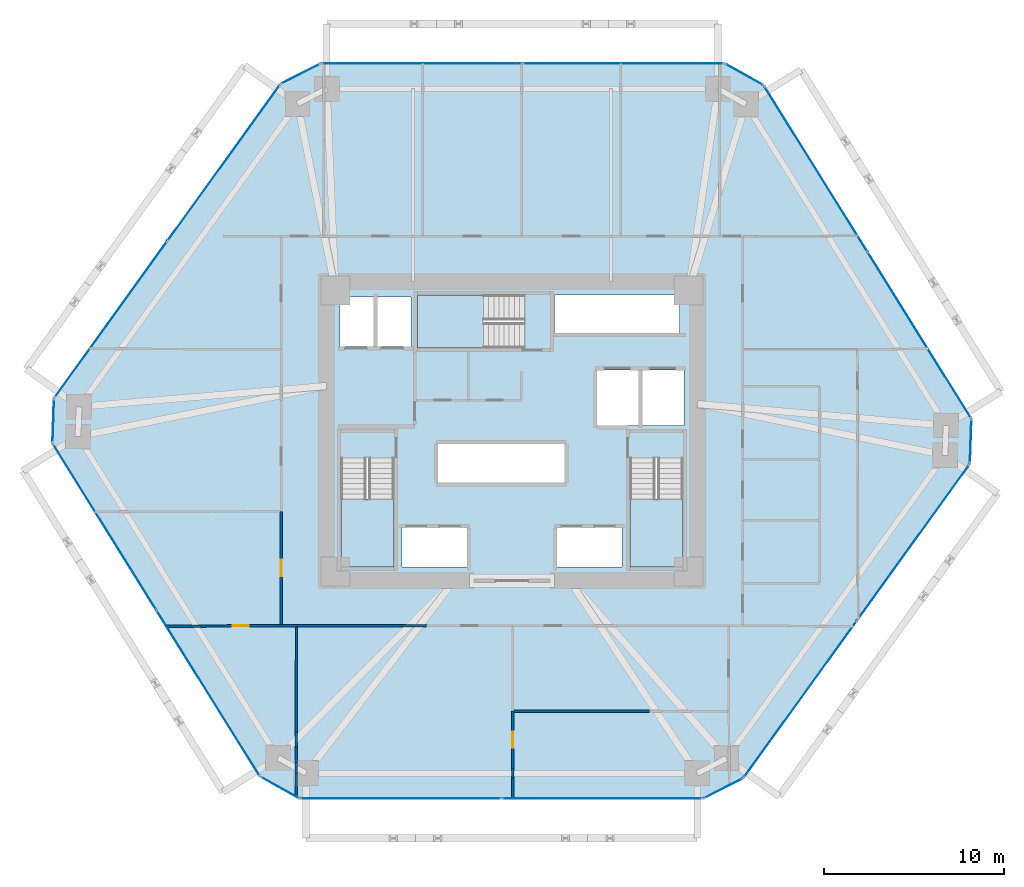
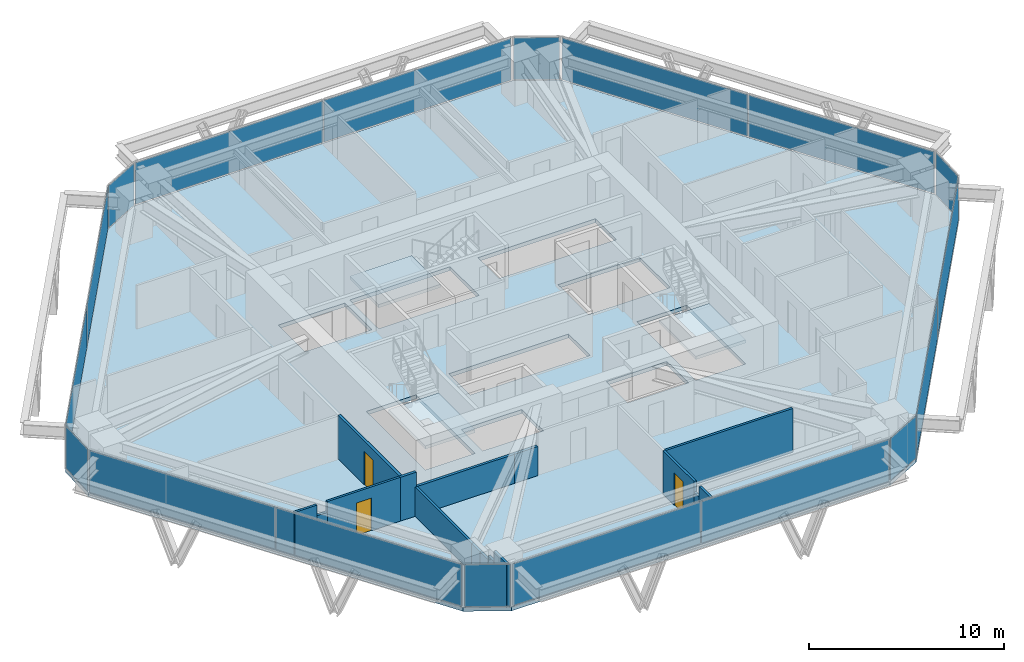
# One storey, part 10 of 15: 18 plates, 16 walls, 4 slabs, 3 doors, 3 openings, 15 elements without a shape of their own.
"""IFC4 building model written with IfcOpenShell, lengths in metres."""

import ifcopenshell
import ifcopenshell.guid

model = None  # the IFC model being written
_history = None  # IfcOwnerHistory: only IFC2X3 demands one
_inside = {}  # id of a spatial element -> (the spatial element, [elements in it])
_under = {}  # id of a project, library or spatial element -> (it, [spatial elements below it])
_declared = {}  # id of a project -> (the project, [libraries it declares])
_typed = {}  # id of a type object -> (the type object, [elements of that type])
_made_of = {}  # id of a material, layer set ... -> (it, [elements and type objects made of it])


def new_model(schema):
    """Start an empty IFC model of exactly this schema.

    Asked for "IFC4X3", IfcOpenShell would pick the latest addendum, in which some entities
    have other attributes; the version numbers below select the first issue.
    IFC2X3 requires an IfcOwnerHistory on every rooted entity: one is made here for all.
    """
    global model, _history
    if schema == "IFC4X3":
        model = ifcopenshell.file(schema_version=(4, 3, 0, 0))
    else:
        model = ifcopenshell.file(schema=schema)
    _inside.clear()
    _under.clear()
    _declared.clear()
    _typed.clear()
    _made_of.clear()
    _history = None
    if model.schema == "IFC2X3":
        org = make("IfcOrganization", Name="unknown")
        user = make(
            "IfcPersonAndOrganization",
            ThePerson=make("IfcPerson", FamilyName="unknown"),
            TheOrganization=org,
        )
        app = make(
            "IfcApplication",
            ApplicationDeveloper=org,
            Version="unknown",
            ApplicationFullName="unknown",
            ApplicationIdentifier="unknown",
        )
        _history = make(
            "IfcOwnerHistory",
            OwningUser=user,
            OwningApplication=app,
            ChangeAction="ADDED",
            CreationDate=0,
        )
    return model


def make(cls, **values):
    """One entity of the class cls with the attributes given. An attribute that is None is left unset."""
    return model.create_entity(
        cls, **{name: value for name, value in values.items() if value is not None}
    )


def rooted(cls, **values):
    """An entity with a GlobalId (a new one), such as an element, a storey or a relation."""
    return make(cls, GlobalId=ifcopenshell.guid.new(), OwnerHistory=_history, **values)


def si_unit(unit_type, name, prefix=None):
    """IfcSIUnit, for example si_unit("LENGTHUNIT", "METRE", prefix="MILLI")."""
    return make("IfcSIUnit", UnitType=unit_type, Prefix=prefix, Name=name)


def assignment(units):
    """IfcUnitAssignment: the units of a project."""
    return None if units is None else make("IfcUnitAssignment", Units=units)


def point(xyz):
    """IfcCartesianPoint."""
    return None if xyz is None else make("IfcCartesianPoint", Coordinates=xyz)


def direction(xyz):
    """IfcDirection."""
    return None if xyz is None else make("IfcDirection", DirectionRatios=xyz)


def frame(location, z_axis=None, x_axis=None):
    """IfcAxis2Placement3D, a coordinate frame: its origin and axes. An axis left out is left unset."""
    return make(
        "IfcAxis2Placement3D",
        Location=point(location),
        Axis=direction(z_axis),
        RefDirection=direction(x_axis),
    )


def frame_2d(location, x_axis=None):
    """IfcAxis2Placement2D, a coordinate frame in the plane: its origin and x axis."""
    return make(
        "IfcAxis2Placement2D", Location=point(location), RefDirection=direction(x_axis)
    )


def origin():
    """The frame at (0, 0, 0) with its axes left unset."""
    return frame((0.0, 0.0, 0.0))


def origin_2d():
    """The frame at (0, 0) in the plane with its x axis left unset."""
    return frame_2d((0.0, 0.0))


def place(relative_to, where):
    """IfcLocalPlacement: puts the frame where relative to a parent placement (None: the world)."""
    return make(
        "IfcLocalPlacement", PlacementRelTo=relative_to, RelativePlacement=where
    )


def context(
    kind, dimensions, precision=None, world=None, true_north=None, identifier=None
):
    """IfcGeometricRepresentationContext, for example the 3D "Model" context."""
    return make(
        "IfcGeometricRepresentationContext",
        ContextIdentifier=identifier,
        ContextType=kind,
        CoordinateSpaceDimension=dimensions,
        Precision=precision,
        WorldCoordinateSystem=world,
        TrueNorth=true_north,
    )


def subcontext(parent, identifier, kind, view, scale=None):
    """IfcGeometricRepresentationSubContext, for example "Body" below "Model"."""
    return make(
        "IfcGeometricRepresentationSubContext",
        ContextIdentifier=identifier,
        ContextType=kind,
        ParentContext=parent,
        TargetScale=scale,
        TargetView=view,
    )


def project(units=None, contexts=None):
    """IfcProject with its units and contexts."""
    return rooted(
        "IfcProject",
        Name="project",
        RepresentationContexts=contexts,
        UnitsInContext=assignment(units),
    )


def spatial(cls, under=None, at=None, **own):
    """A site, building, storey or space (cls), placed at a placement, below another one or the project."""
    s = rooted(cls, ObjectPlacement=at, **own)
    if under is not None:
        _under.setdefault(under.id(), (under, []))[1].append(s)
    return s


def polyline(points):
    """IfcPolyline through the points."""
    return make("IfcPolyline", Points=[point(p) for p in points])


def profile(cls, at=None, kind="AREA", **sizes):
    """A parametric profile (cls). Its sizes go by their IFC names, for example OverallWidth=200.0."""
    return make(cls, ProfileType=kind, Position=at, **sizes)


def rectangle(**sizes):
    """IfcRectangleProfileDef."""
    return profile("IfcRectangleProfileDef", **sizes)


def outline(outer, holes=None, kind="AREA"):
    """IfcArbitraryClosedProfileDef: a profile drawn as a closed curve; with holes, ...WithVoids."""
    if holes is None:
        return make("IfcArbitraryClosedProfileDef", ProfileType=kind, OuterCurve=outer)
    return make(
        "IfcArbitraryProfileDefWithVoids",
        ProfileType=kind,
        OuterCurve=outer,
        InnerCurves=holes,
    )


def extrude(swept, where, along, depth):
    """IfcExtrudedAreaSolid: the profile swept, set in the frame where, extruded along a direction by depth."""
    return make(
        "IfcExtrudedAreaSolid",
        SweptArea=swept,
        Position=where,
        ExtrudedDirection=direction(along),
        Depth=depth,
    )


def shape(context_of_items, identifier, shape_type, items):
    """IfcShapeRepresentation: the items that make up one representation, for example the "Body"."""
    return make(
        "IfcShapeRepresentation",
        ContextOfItems=context_of_items,
        RepresentationIdentifier=identifier,
        RepresentationType=shape_type,
        Items=items,
    )


def source(mapping_origin, context_of_items, identifier, shape_type, items):
    """IfcRepresentationMap: a shape defined once, which mapped items show again and again."""
    return make(
        "IfcRepresentationMap",
        MappingOrigin=mapping_origin,
        MappedRepresentation=shape(context_of_items, identifier, shape_type, items),
    )


def transform(
    local_origin,
    x_axis=None,
    y_axis=None,
    z_axis=None,
    scale=None,
    scale2=None,
    scale3=None,
    uniform=True,
):
    """IfcCartesianTransformationOperator3D, or its non-uniform kind. x_axis, y_axis, z_axis: its Axis1, 2, 3."""
    if uniform:
        return make(
            "IfcCartesianTransformationOperator3D",
            Axis1=direction(x_axis),
            Axis2=direction(y_axis),
            LocalOrigin=point(local_origin),
            Scale=scale,
            Axis3=direction(z_axis),
        )
    return make(
        "IfcCartesianTransformationOperator3DnonUniform",
        Axis1=direction(x_axis),
        Axis2=direction(y_axis),
        LocalOrigin=point(local_origin),
        Scale=scale,
        Axis3=direction(z_axis),
        Scale2=scale2,
        Scale3=scale3,
    )


def mapped(mapping_source, mapping_target):
    """IfcMappedItem: shows the shape of a source again, moved by a transform."""
    return make(
        "IfcMappedItem", MappingSource=mapping_source, MappingTarget=mapping_target
    )


def material(Name=None, Category=None):
    """IfcMaterial."""
    return make("IfcMaterial", Name=Name, Category=Category)


def layer(
    of_material, thickness, ventilated=None, Name=None, Category=None, Priority=None
):
    """IfcMaterialLayer: one layer of a wall or slab, of a material (None: an air gap)."""
    return make(
        "IfcMaterialLayer",
        Material=of_material,
        LayerThickness=thickness,
        IsVentilated=ventilated,
        Name=Name,
        Category=Category,
        Priority=Priority,
    )


def layer_set(layers, Name=None):
    """IfcMaterialLayerSet."""
    return make("IfcMaterialLayerSet", MaterialLayers=layers, LayerSetName=Name)


def made_of(thing, what):
    """Note that an element or type object is made of a material, layer set ...; save() writes the relation."""
    if what is not None:
        _made_of.setdefault(what.id(), (what, []))[1].append(thing)
    return thing


def type_object(cls, material=None, **own):
    """A type object (cls), such as IfcWallType, which elements share."""
    return made_of(rooted(cls, **own), material)


def type_shapes(of_type, sources):
    """Give a type object the sources (RepresentationMaps) that its elements show as mapped items."""
    of_type.RepresentationMaps = sources


def element(
    cls,
    number,
    at=None,
    inside=None,
    cuts=None,
    type_object=None,
    material=None,
    context=None,
    identifier="Body",
    shape_type=None,
    held_by="IfcProductDefinitionShape",
    body=None,
    shapes=None,
    **own,
):
    """One element of the class cls, such as IfcWall. Its Tag is "e" and its number.

    at: its placement. inside: the storey or other place that contains it. cuts: it is an
    opening in that element (IfcRelVoidsElement). A single representation is given by context,
    identifier, shape_type and body (its items); several are given by shapes. held_by: the class
    of the entity that holds the representations. save() writes the other relations.
    """
    e = rooted(cls, Tag="e%d" % number, ObjectPlacement=at, **own)
    if body is not None:
        shapes = [shape(context, identifier, shape_type, body)]
    if shapes is not None:
        e.Representation = make(held_by, Representations=shapes)
    if inside is not None:
        _inside.setdefault(inside.id(), (inside, []))[1].append(e)
    if cuts is not None:
        rooted(
            "IfcRelVoidsElement", RelatingBuildingElement=cuts, RelatedOpeningElement=e
        )
    if type_object is not None:
        _typed.setdefault(type_object.id(), (type_object, []))[1].append(e)
    return made_of(e, material)


def fill(opening, filler):
    """IfcRelFillsElement: the door or window that sits in an opening."""
    return rooted(
        "IfcRelFillsElement",
        RelatingOpeningElement=opening,
        RelatedBuildingElement=filler,
    )


def aggregate(whole, parts):
    """IfcRelAggregates: a whole, such as a stair, and the parts it consists of."""
    return rooted("IfcRelAggregates", RelatingObject=whole, RelatedObjects=parts)


def save(model, path):
    """Write the relations noted so far, then the file.

    IfcRelAggregates (storeys below a building ...), IfcRelContainedInSpatialStructure (elements
    in a storey), IfcRelDefinesByType, IfcRelAssociatesMaterial and IfcRelDeclares: one each for
    every whole, place, type object, material and project.
    """
    for whole, parts in _under.values():
        aggregate(whole, parts)
    for where, things in _inside.values():
        rooted(
            "IfcRelContainedInSpatialStructure",
            RelatedElements=things,
            RelatingStructure=where,
        )
    for kind, things in _typed.values():
        rooted("IfcRelDefinesByType", RelatedObjects=things, RelatingType=kind)
    for what, things in _made_of.values():
        rooted("IfcRelAssociatesMaterial", RelatedObjects=things, RelatingMaterial=what)
    for by, libraries in _declared.values():
        rooted("IfcRelDeclares", RelatingContext=by, RelatedDefinitions=libraries)
    model.write(path)


model = new_model("IFC4")

# Units and contexts
model_context = context("Model", 3, precision=1e-05, world=origin(), true_north=direction((0.0, 1.0)))
body_context = subcontext(model_context, "Body", "Model", "MODEL_VIEW")
ifc_project = project(units=[si_unit("LENGTHUNIT", "METRE"), si_unit("AREAUNIT", "SQUARE_METRE"), si_unit("VOLUMEUNIT", "CUBIC_METRE"), si_unit("PLANEANGLEUNIT", "RADIAN"), si_unit("MASSUNIT", "GRAM", prefix="KILO")], contexts=[model_context])

# Site, building, storey
site_placement = place(None, origin())
site = spatial("IfcSite", under=ifc_project, at=site_placement, CompositionType="ELEMENT")
building_placement = place(site_placement, origin())
building = spatial("IfcBuilding", under=site, at=building_placement, Name="Durnholm Broadcast Tower", CompositionType="ELEMENT")
storey_placement = place(building_placement, frame((0.0, 0.0, 75.300048828125)))
storey = spatial("IfcBuildingStorey", under=building, at=storey_placement, Name="L19", CompositionType="ELEMENT", Elevation=75.300048828125)

# Slab
ifc_material_1 = material(Name="Concrete C50/60", Category="concrete")
ifc_layer_1 = layer(ifc_material_1, 0.239990234375)
ifc_layer_set_1 = layer_set([ifc_layer_1], Name="Concrete C50/60")
slab_type_1 = type_object("IfcSlabType", Name="SLAB-FLR-240", PredefinedType="FLOOR", material=ifc_layer_set_1)
slab_1_placement = place(storey_placement, frame((0.0, 0.0, -0.239990234375)))
element("IfcSlab", 1, at=slab_1_placement, inside=storey, type_object=slab_type_1, Name="L19 structural floor slab", PredefinedType="FLOOR", context=body_context, shape_type="SweptSolid", body=[
    extrude(outline(polyline([(-13.9794921875, -19.186279296875), (-11.793701171875, -20.39990234375), (10.6201171875, -20.39990234375), (12.845703125, -19.260986328125), (25.419921875, -1.820556640625), (25.50439453125, 0.677978515625), (13.9794921875, 19.186279296875), (11.793701171875, 20.39990234375), (-10.6201171875, 20.39990234375), (-12.845703125, 19.260986328125), (-25.419921875, 1.820556640625), (-25.50439453125, -0.677978515625), (-13.9794921875, -19.186279296875)]), holes=[polyline([(-2.5, -5.35009765625), (-6.10009765625, -5.35009765625), (-6.10009765625, -7.550048828125), (-2.5, -7.550048828125), (-2.5, -5.35009765625)]), polyline([(6.10009765625, -5.35009765625), (2.5, -5.35009765625), (2.5, -7.550048828125), (6.10009765625, -7.550048828125), (6.10009765625, -5.35009765625)]), polyline([(-6.5400390625, -7.550048828125), (-6.5400390625, -1.5), (-9.5, -1.5), (-9.5, -7.550048828125), (-6.5400390625, -7.550048828125)]), polyline([(9.5, -7.550048828125), (9.5, -1.5), (6.5400390625, -1.5), (6.5400390625, -7.550048828125), (9.5, -7.550048828125)]), polyline([(2.949951171875, -0.699951171875), (-4.14990234375, -0.699951171875), (-4.14990234375, -2.89990234375), (2.949951171875, -2.89990234375), (2.949951171875, -0.699951171875)]), polyline([(9.550048828125, 3.39990234375), (4.699951171875, 3.39990234375), (4.699951171875, 0.300048828125), (9.550048828125, 0.300048828125), (9.550048828125, 3.39990234375)]), polyline([(-5.60009765625, 7.449951171875), (-9.550048828125, 7.449951171875), (-9.550048828125, 4.699951171875), (-5.60009765625, 4.699951171875), (-5.60009765625, 7.449951171875)]), polyline([(-5.25, 7.56005859375), (-5.25, 4.60009765625), (0.699951171875, 4.60009765625), (0.699951171875, 7.56005859375), (-5.25, 7.56005859375)]), polyline([(9.31005859375, 5.39990234375), (9.31005859375, 7.550048828125), (2.35009765625, 7.550048828125), (2.35009765625, 5.39990234375), (9.31005859375, 5.39990234375)])]), origin(), (0.0, 0.0, 1.0), 0.239990234375),
])

# Stair, slab
stair_type = type_object("IfcStairType", Name="STAIR-DL-18R1667", PredefinedType="HALF_TURN_STAIR", material=ifc_material_1)
stair_1_placement = place(storey_placement, origin())
stair_1 = element("IfcStair", 2, at=stair_1_placement, inside=storey, type_object=stair_type, Name="L19 ST-1", PredefinedType="HALF_TURN_STAIR")
ifc_layer_2 = layer(ifc_material_1, 0.199951171875)
ifc_layer_set_2 = layer_set([ifc_layer_2], Name="Concrete C50/60")
slab_type_2 = type_object("IfcSlabType", Name="SLAB-LND-200", PredefinedType="LANDING", material=ifc_layer_set_2)
slab_2_placement = place(storey_placement, frame((0.0, 0.0, 1.300048828125)))
slab_2 = element("IfcSlab", 3, at=slab_2_placement, type_object=slab_type_2, Name="ST-1 landing 1", PredefinedType="LANDING", context=body_context, shape_type="SweptSolid", body=[
    extrude(outline(polyline([(-9.5, -3.780029296875), (-9.5, -7.550048828125), (-6.5400390625, -7.550048828125), (-6.5400390625, -3.780029296875), (-9.5, -3.780029296875)])), origin(), (0.0, 0.0, 1.0), 0.199951171875),
])
aggregate(stair_1, [slab_2])

stair_2_placement = place(storey_placement, origin())
stair_2 = element("IfcStair", 4, at=stair_2_placement, inside=storey, type_object=stair_type, Name="L19 ST-2", PredefinedType="HALF_TURN_STAIR")
slab_3_placement = place(storey_placement, frame((0.0, 0.0, 1.300048828125)))
slab_3 = element("IfcSlab", 5, at=slab_3_placement, type_object=slab_type_2, Name="ST-2 landing 1", PredefinedType="LANDING", context=body_context, shape_type="SweptSolid", body=[
    extrude(outline(polyline([(6.5400390625, -3.780029296875), (6.5400390625, -7.550048828125), (9.5, -7.550048828125), (9.5, -3.780029296875), (6.5400390625, -3.780029296875)])), origin(), (0.0, 0.0, 1.0), 0.199951171875),
])
aggregate(stair_2, [slab_3])

stair_3_placement = place(storey_placement, origin())
stair_3 = element("IfcStair", 6, at=stair_3_placement, inside=storey, type_object=stair_type, Name="L19 ST-3", PredefinedType="HALF_TURN_STAIR")
slab_4_placement = place(storey_placement, frame((0.0, 0.0, 1.300048828125)))
slab_4 = element("IfcSlab", 7, at=slab_4_placement, type_object=slab_type_2, Name="ST-3 landing 1", PredefinedType="LANDING", context=body_context, shape_type="SweptSolid", body=[
    extrude(outline(polyline([(-1.580078125, 7.56005859375), (-5.25, 7.56005859375), (-5.25, 4.60009765625), (-1.580078125, 4.60009765625), (-1.580078125, 7.56005859375)])), origin(), (0.0, 0.0, 1.0), 0.199951171875),
])
aggregate(stair_3, [slab_4])

# Curtain wall, plate
ifc_material_2 = material(Name="Aluminium and Solar Control IGU", Category="aluminium")
ifc_layer_3 = layer(ifc_material_2, 0.1650390625)
ifc_layer_set_3 = layer_set([ifc_layer_3], Name="Aluminium and Solar Control IGU")
curtain_wall_type_1 = type_object("IfcCurtainWallType", Name="CW-SYS-5", PredefinedType="NOTDEFINED", material=ifc_layer_set_3)
curtain_wall_1_placement = place(storey_placement, origin())
curtain_wall_1 = element("IfcCurtainWall", 8, at=curtain_wall_1_placement, inside=storey, type_object=curtain_wall_type_1, Name="L19 curtain wall CW-CORNER CW-L19-CRN-01", PredefinedType="NOTDEFINED")
ifc_material_3 = material(Name="Low-E Laminated Insulating Glass", Category="glass")
ifc_layer_4 = layer(ifc_material_3, 0.030029296875)
ifc_layer_set_4 = layer_set([ifc_layer_4], Name="Low-E Laminated Insulating Glass")
plate_type_1 = type_object("IfcPlateType", Name="CW-SYS-5-PNL", PredefinedType="CURTAIN_PANEL", material=ifc_layer_set_4)
shared_shape_1 = source(origin(), body_context, "Body", "SweptSolid", [
    extrude(rectangle(XDim=2.3701171875, YDim=0.030029296875, at=origin_2d()), origin(), (0.0, 0.0, 1.0), 2.6298828125),
])
plate_1_placement = place(storey_placement, frame((-25.462158203125, 0.5712890625, 0.06494140625), z_axis=(0.0, 0.0, 1.0), x_axis=(0.033839569233, 0.999427277772, 0.0)))
plate_1 = element("IfcPlate", 9, at=plate_1_placement, type_object=plate_type_1, Name="CW-CORNER panel 1.1", PredefinedType="CURTAIN_PANEL", context=body_context, shape_type="MappedRepresentation", body=[
    mapped(shared_shape_1, transform((0.0, 0.0, 0.0), x_axis=(1.0, 0.0, 0.0), y_axis=(0.0, 1.0, 0.0), z_axis=(0.0, 0.0, 1.0), scale=1.0)),
])
aggregate(curtain_wall_1, [plate_1])

curtain_wall_2_placement = place(storey_placement, origin())
curtain_wall_2 = element("IfcCurtainWall", 10, at=curtain_wall_2_placement, inside=storey, type_object=curtain_wall_type_1, Name="L19 curtain wall CW-CORNER CW-L19-CRN-03", PredefinedType="NOTDEFINED")
plate_2_placement = place(storey_placement, frame((-11.73291015625, 19.83056640625, 0.06494140625), z_axis=(0.0, 0.0, 1.0), x_axis=(0.890187804512, 0.455593758406, 0.0)))
plate_2 = element("IfcPlate", 11, at=plate_2_placement, type_object=plate_type_1, Name="CW-CORNER panel 1.1", PredefinedType="CURTAIN_PANEL", context=body_context, shape_type="MappedRepresentation", body=[
    mapped(shared_shape_1, transform((0.0, 0.0, 0.0), x_axis=(1.0, 0.0, 0.0), y_axis=(0.0, 1.0, 0.0), z_axis=(0.0, 0.0, 1.0), scale=1.0)),
])
aggregate(curtain_wall_2, [plate_2])

curtain_wall_3_placement = place(storey_placement, origin())
curtain_wall_3 = element("IfcCurtainWall", 12, at=curtain_wall_3_placement, inside=storey, type_object=curtain_wall_type_1, Name="L19 curtain wall CW-CORNER CW-L19-CRN-07", PredefinedType="NOTDEFINED")
plate_3_placement = place(storey_placement, frame((25.462158203125, -0.5712890625, 0.06494140625), z_axis=(0.0, 0.0, 1.0), x_axis=(-0.033839569233, -0.999427277772, 0.0)))
plate_3 = element("IfcPlate", 13, at=plate_3_placement, type_object=plate_type_1, Name="CW-CORNER panel 1.1", PredefinedType="CURTAIN_PANEL", context=body_context, shape_type="MappedRepresentation", body=[
    mapped(shared_shape_1, transform((0.0, 0.0, 0.0), x_axis=(1.0, 0.0, 0.0), y_axis=(0.0, 1.0, 0.0), z_axis=(0.0, 0.0, 1.0), scale=1.0)),
])
aggregate(curtain_wall_3, [plate_3])

curtain_wall_4_placement = place(storey_placement, origin())
curtain_wall_4 = element("IfcCurtainWall", 14, at=curtain_wall_4_placement, inside=storey, type_object=curtain_wall_type_1, Name="L19 curtain wall CW-CORNER CW-L19-CRN-09", PredefinedType="NOTDEFINED")
plate_4_placement = place(storey_placement, frame((11.73291015625, -19.83056640625, 0.06494140625), z_axis=(0.0, 0.0, 1.0), x_axis=(-0.890187804512, -0.455593758406, 0.0)))
plate_4 = element("IfcPlate", 15, at=plate_4_placement, type_object=plate_type_1, Name="CW-CORNER panel 1.1", PredefinedType="CURTAIN_PANEL", context=body_context, shape_type="MappedRepresentation", body=[
    mapped(shared_shape_1, transform((0.0, 0.0, 0.0), x_axis=(1.0, 0.0, 0.0), y_axis=(0.0, 1.0, 0.0), z_axis=(0.0, 0.0, 1.0), scale=1.0)),
])
aggregate(curtain_wall_4, [plate_4])

# Curtain wall, plates
ifc_layer_5 = layer(ifc_material_2, 0.18994140625)
ifc_layer_set_5 = layer_set([ifc_layer_5], Name="Aluminium and Solar Control IGU")
curtain_wall_type_2 = type_object("IfcCurtainWallType", Name="CW-SYS-3", PredefinedType="NOTDEFINED", material=ifc_layer_set_5)
curtain_wall_5_placement = place(storey_placement, origin())
curtain_wall_5 = element("IfcCurtainWall", 16, at=curtain_wall_5_placement, inside=storey, type_object=curtain_wall_type_2, Name="L19 curtain wall CW-Z12-VIS CW-L19-F02", PredefinedType="NOTDEFINED")
ifc_layer_6 = layer(ifc_material_3, 0.031982421875)
ifc_layer_set_6 = layer_set([ifc_layer_6], Name="Low-E Laminated Insulating Glass")
plate_type_2 = type_object("IfcPlateType", Name="CW-SYS-3-PNL", PredefinedType="CURTAIN_PANEL", material=ifc_layer_set_6)
shared_shape_2 = source(origin(), body_context, "Body", "SweptSolid", [
    extrude(rectangle(XDim=10.645263671875, YDim=0.031982421875, at=origin_2d()), origin(), (0.0, 0.0, 1.0), 2.6201171875),
])
plate_5_placement = place(storey_placement, frame((-22.26611328125, 6.19482421875, 0.06982421875), z_axis=(0.0, 0.0, 1.0), x_axis=(0.584823496176, 0.81116057493, 0.0)))
plate_5 = element("IfcPlate", 17, at=plate_5_placement, type_object=plate_type_2, Name="CW-Z12-VIS panel 1.1", PredefinedType="CURTAIN_PANEL", context=body_context, shape_type="MappedRepresentation", body=[
    mapped(shared_shape_2, transform((0.0, 0.0, 0.0), x_axis=(1.0, 0.0, 0.0), y_axis=(0.0, 1.0, 0.0), z_axis=(0.0, 0.0, 1.0), scale=1.0)),
])
plate_6_placement = place(storey_placement, frame((-15.99951171875, 14.88671875, 0.06982421875), z_axis=(0.0, 0.0, 1.0), x_axis=(0.584823496176, 0.81116057493, 0.0)))
plate_6 = element("IfcPlate", 18, at=plate_6_placement, type_object=plate_type_2, Name="CW-Z12-VIS panel 2.1", PredefinedType="CURTAIN_PANEL", context=body_context, shape_type="MappedRepresentation", body=[
    mapped(shared_shape_2, transform((0.0, 0.0, 0.0), x_axis=(1.0, 0.0, 0.0), y_axis=(0.0, 1.0, 0.0), z_axis=(0.0, 0.0, 1.0), scale=1.0)),
])
aggregate(curtain_wall_5, [plate_5, plate_6])

curtain_wall_6_placement = place(storey_placement, origin())
curtain_wall_6 = element("IfcCurtainWall", 19, at=curtain_wall_6_placement, inside=storey, type_object=curtain_wall_type_2, Name="L19 curtain wall CW-Z12-VIS CW-L19-F08", PredefinedType="NOTDEFINED")
plate_7_placement = place(storey_placement, frame((22.26611328125, -6.19482421875, 0.06982421875), z_axis=(0.0, 0.0, 1.0), x_axis=(-0.584823496176, -0.81116057493, 0.0)))
plate_7 = element("IfcPlate", 20, at=plate_7_placement, type_object=plate_type_2, Name="CW-Z12-VIS panel 1.1", PredefinedType="CURTAIN_PANEL", context=body_context, shape_type="MappedRepresentation", body=[
    mapped(shared_shape_2, transform((0.0, 0.0, 0.0), x_axis=(1.0, 0.0, 0.0), y_axis=(0.0, 1.0, 0.0), z_axis=(0.0, 0.0, 1.0), scale=1.0)),
])
plate_8_placement = place(storey_placement, frame((15.99951171875, -14.88671875, 0.06982421875), z_axis=(0.0, 0.0, 1.0), x_axis=(-0.584823496176, -0.81116057493, 0.0)))
plate_8 = element("IfcPlate", 21, at=plate_8_placement, type_object=plate_type_2, Name="CW-Z12-VIS panel 2.1", PredefinedType="CURTAIN_PANEL", context=body_context, shape_type="MappedRepresentation", body=[
    mapped(shared_shape_2, transform((0.0, 0.0, 0.0), x_axis=(1.0, 0.0, 0.0), y_axis=(0.0, 1.0, 0.0), z_axis=(0.0, 0.0, 1.0), scale=1.0)),
])
aggregate(curtain_wall_6, [plate_7, plate_8])

curtain_wall_7_placement = place(storey_placement, origin())
curtain_wall_7 = element("IfcCurtainWall", 22, at=curtain_wall_7_placement, inside=storey, type_object=curtain_wall_type_2, Name="L19 curtain wall CW-Z12-VIS CW-L19-F04", PredefinedType="NOTDEFINED")
shared_shape_3 = source(origin(), body_context, "Body", "SweptSolid", [
    extrude(rectangle(XDim=11.10205078125, YDim=0.031982421875, at=origin_2d()), origin(), (0.0, 0.0, 1.0), 2.6201171875),
])
plate_9_placement = place(storey_placement, frame((-4.999267578125, 20.39990234375, 0.06982421875), z_axis=(0.0, 0.0, 1.0), x_axis=(1.0, 0.0, 0.0)))
plate_9 = element("IfcPlate", 23, at=plate_9_placement, type_object=plate_type_2, Name="CW-Z12-VIS panel 1.1", PredefinedType="CURTAIN_PANEL", context=body_context, shape_type="MappedRepresentation", body=[
    mapped(shared_shape_3, transform((0.0, 0.0, 0.0), x_axis=(1.0, 0.0, 0.0), y_axis=(0.0, 1.0, 0.0), z_axis=(0.0, 0.0, 1.0), scale=1.0)),
])
plate_10_placement = place(storey_placement, frame((6.1728515625, 20.39990234375, 0.06982421875), z_axis=(0.0, 0.0, 1.0), x_axis=(1.0, 0.0, 0.0)))
plate_10 = element("IfcPlate", 24, at=plate_10_placement, type_object=plate_type_2, Name="CW-Z12-VIS panel 2.1", PredefinedType="CURTAIN_PANEL", context=body_context, shape_type="MappedRepresentation", body=[
    mapped(shared_shape_3, transform((0.0, 0.0, 0.0), x_axis=(1.0, 0.0, 0.0), y_axis=(0.0, 1.0, 0.0), z_axis=(0.0, 0.0, 1.0), scale=1.0)),
])
aggregate(curtain_wall_7, [plate_9, plate_10])

curtain_wall_8_placement = place(storey_placement, origin())
curtain_wall_8 = element("IfcCurtainWall", 25, at=curtain_wall_8_placement, inside=storey, type_object=curtain_wall_type_2, Name="L19 curtain wall CW-Z12-VIS CW-L19-F10", PredefinedType="NOTDEFINED")
plate_11_placement = place(storey_placement, frame((4.999267578125, -20.39990234375, 0.06982421875), z_axis=(0.0, 0.0, 1.0), x_axis=(-1.0, 0.0, 0.0)))
plate_11 = element("IfcPlate", 26, at=plate_11_placement, type_object=plate_type_2, Name="CW-Z12-VIS panel 1.1", PredefinedType="CURTAIN_PANEL", context=body_context, shape_type="MappedRepresentation", body=[
    mapped(shared_shape_3, transform((0.0, 0.0, 0.0), x_axis=(1.0, 0.0, 0.0), y_axis=(0.0, 1.0, 0.0), z_axis=(0.0, 0.0, 1.0), scale=1.0)),
])
plate_12_placement = place(storey_placement, frame((-6.1728515625, -20.39990234375, 0.06982421875), z_axis=(0.0, 0.0, 1.0), x_axis=(-1.0, 0.0, 0.0)))
plate_12 = element("IfcPlate", 27, at=plate_12_placement, type_object=plate_type_2, Name="CW-Z12-VIS panel 2.1", PredefinedType="CURTAIN_PANEL", context=body_context, shape_type="MappedRepresentation", body=[
    mapped(shared_shape_3, transform((0.0, 0.0, 0.0), x_axis=(1.0, 0.0, 0.0), y_axis=(0.0, 1.0, 0.0), z_axis=(0.0, 0.0, 1.0), scale=1.0)),
])
aggregate(curtain_wall_8, [plate_11, plate_12])

# Curtain wall, plate
curtain_wall_9_placement = place(storey_placement, origin())
curtain_wall_9 = element("IfcCurtainWall", 28, at=curtain_wall_9_placement, inside=storey, type_object=curtain_wall_type_1, Name="L19 curtain wall CW-CORNER CW-L19-CRN-05", PredefinedType="NOTDEFINED")
shared_shape_4 = source(origin(), body_context, "Body", "SweptSolid", [
    extrude(rectangle(XDim=2.369873046875, YDim=0.030029296875, at=origin_2d()), origin(), (0.0, 0.0, 1.0), 2.6298828125),
])
type_shapes(plate_type_1, [shared_shape_1, shared_shape_4])
plate_13_placement = place(storey_placement, frame((12.88671875, 19.793212890625, 0.06494140625), z_axis=(0.0, 0.0, 1.0), x_axis=(0.874245941394, -0.485483299359, 0.0)))
plate_13 = element("IfcPlate", 29, at=plate_13_placement, type_object=plate_type_1, Name="CW-CORNER panel 1.1", PredefinedType="CURTAIN_PANEL", context=body_context, shape_type="MappedRepresentation", body=[
    mapped(shared_shape_4, transform((0.0, 0.0, 0.0), x_axis=(1.0, 0.0, 0.0), y_axis=(0.0, 1.0, 0.0), z_axis=(0.0, 0.0, 1.0), scale=1.0)),
])
aggregate(curtain_wall_9, [plate_13])

curtain_wall_10_placement = place(storey_placement, origin())
curtain_wall_10 = element("IfcCurtainWall", 30, at=curtain_wall_10_placement, inside=storey, type_object=curtain_wall_type_1, Name="L19 curtain wall CW-CORNER CW-L19-CRN-11", PredefinedType="NOTDEFINED")
plate_14_placement = place(storey_placement, frame((-12.88671875, -19.793212890625, 0.06494140625), z_axis=(0.0, 0.0, 1.0), x_axis=(-0.874245941394, 0.485483299359, 0.0)))
plate_14 = element("IfcPlate", 31, at=plate_14_placement, type_object=plate_type_1, Name="CW-CORNER panel 1.1", PredefinedType="CURTAIN_PANEL", context=body_context, shape_type="MappedRepresentation", body=[
    mapped(shared_shape_4, transform((0.0, 0.0, 0.0), x_axis=(1.0, 0.0, 0.0), y_axis=(0.0, 1.0, 0.0), z_axis=(0.0, 0.0, 1.0), scale=1.0)),
])
aggregate(curtain_wall_10, [plate_14])

# Curtain wall, plates
curtain_wall_11_placement = place(storey_placement, origin())
curtain_wall_11 = element("IfcCurtainWall", 32, at=curtain_wall_11_placement, inside=storey, type_object=curtain_wall_type_2, Name="L19 curtain wall CW-Z12-VIS CW-L19-F06", PredefinedType="NOTDEFINED")
shared_shape_5 = source(origin(), body_context, "Body", "SweptSolid", [
    extrude(rectangle(XDim=10.796630859375, YDim=0.031982421875, at=origin_2d()), origin(), (0.0, 0.0, 1.0), 2.6201171875),
])
type_shapes(plate_type_2, [shared_shape_2, shared_shape_3, shared_shape_5])
plate_15_placement = place(storey_placement, frame((16.869873046875, 14.54443359375, 0.06982421875), z_axis=(0.0, 0.0, 1.0), x_axis=(0.528592376777, -0.848875785503, 0.0)))
plate_15 = element("IfcPlate", 33, at=plate_15_placement, type_object=plate_type_2, Name="CW-Z12-VIS panel 1.1", PredefinedType="CURTAIN_PANEL", context=body_context, shape_type="MappedRepresentation", body=[
    mapped(shared_shape_5, transform((0.0, 0.0, 0.0), x_axis=(1.0, 0.0, 0.0), y_axis=(0.0, 1.0, 0.0), z_axis=(0.0, 0.0, 1.0), scale=1.0)),
])
plate_16_placement = place(storey_placement, frame((22.614013671875, 5.320068359375, 0.06982421875), z_axis=(0.0, 0.0, 1.0), x_axis=(0.528592376777, -0.848875785503, 0.0)))
plate_16 = element("IfcPlate", 34, at=plate_16_placement, type_object=plate_type_2, Name="CW-Z12-VIS panel 2.1", PredefinedType="CURTAIN_PANEL", context=body_context, shape_type="MappedRepresentation", body=[
    mapped(shared_shape_5, transform((0.0, 0.0, 0.0), x_axis=(1.0, 0.0, 0.0), y_axis=(0.0, 1.0, 0.0), z_axis=(0.0, 0.0, 1.0), scale=1.0)),
])
aggregate(curtain_wall_11, [plate_15, plate_16])

curtain_wall_12_placement = place(storey_placement, origin())
curtain_wall_12 = element("IfcCurtainWall", 35, at=curtain_wall_12_placement, inside=storey, type_object=curtain_wall_type_2, Name="L19 curtain wall CW-Z12-VIS CW-L19-F12", PredefinedType="NOTDEFINED")
plate_17_placement = place(storey_placement, frame((-16.869873046875, -14.54443359375, 0.06982421875), z_axis=(0.0, 0.0, 1.0), x_axis=(-0.528592376777, 0.848875785503, 0.0)))
plate_17 = element("IfcPlate", 36, at=plate_17_placement, type_object=plate_type_2, Name="CW-Z12-VIS panel 1.1", PredefinedType="CURTAIN_PANEL", context=body_context, shape_type="MappedRepresentation", body=[
    mapped(shared_shape_5, transform((0.0, 0.0, 0.0), x_axis=(1.0, 0.0, 0.0), y_axis=(0.0, 1.0, 0.0), z_axis=(0.0, 0.0, 1.0), scale=1.0)),
])
plate_18_placement = place(storey_placement, frame((-22.614013671875, -5.320068359375, 0.06982421875), z_axis=(0.0, 0.0, 1.0), x_axis=(-0.528592376777, 0.848875785503, 0.0)))
plate_18 = element("IfcPlate", 37, at=plate_18_placement, type_object=plate_type_2, Name="CW-Z12-VIS panel 2.1", PredefinedType="CURTAIN_PANEL", context=body_context, shape_type="MappedRepresentation", body=[
    mapped(shared_shape_5, transform((0.0, 0.0, 0.0), x_axis=(1.0, 0.0, 0.0), y_axis=(0.0, 1.0, 0.0), z_axis=(0.0, 0.0, 1.0), scale=1.0)),
])
aggregate(curtain_wall_12, [plate_17, plate_18])

# Walls
ifc_material_4 = material(Name="Gypsum Metal Stud Partition", Category="concrete")
ifc_layer_7 = layer(ifc_material_4, 0.135009765625)
ifc_layer_set_7 = layer_set([ifc_layer_7], Name="Gypsum Metal Stud Partition")
wall_type_1 = type_object("IfcWallType", Name="WALL-PART-135", PredefinedType="PARTITIONING", material=ifc_layer_set_7)
wall_1_placement = place(storey_placement, frame((-11.960205078125, -10.888916015625, 0.0), z_axis=(0.0, 0.0, 1.0), x_axis=(-0.002018838416, -0.999997962144, 0.0)))
element("IfcWall", 38, at=wall_1_placement, inside=storey, type_object=wall_type_1, Name="L19 room dividing partition 12.13", PredefinedType="PARTITIONING", context=body_context, shape_type="SweptSolid", body=[
    extrude(rectangle(XDim=5.8046875, YDim=0.135009765625, at=frame_2d((2.90234375, 0.0))), origin(), (0.0, 0.0, 1.0), 1.830078125),
])
wall_2_placement = place(storey_placement, frame((-11.973876953125, -17.552001953125, 0.0), z_axis=(0.0, 0.0, 1.0), x_axis=(-0.002027218539, -0.99999794519, 0.0)))
element("IfcWall", 39, at=wall_2_placement, inside=storey, type_object=wall_type_1, Name="L19 room dividing partition 12.13", PredefinedType="PARTITIONING", context=body_context, shape_type="SweptSolid", body=[
    extrude(rectangle(XDim=0.843017578125, YDim=0.135009765625, at=frame_2d((0.42138671875, 0.0))), origin(), (0.0, 0.0, 1.0), 1.830078125),
])
wall_3_placement = place(storey_placement, frame((-11.976806640625, -18.99951171875, 0.0), z_axis=(0.0, 0.0, 1.0), x_axis=(-0.002069999329, -0.999997857549, 0.0)))
element("IfcWall", 40, at=wall_3_placement, inside=storey, type_object=wall_type_1, Name="L19 room dividing partition 12.13", PredefinedType="PARTITIONING", context=body_context, shape_type="SweptSolid", body=[
    extrude(rectangle(XDim=1.29736328125, YDim=0.135009765625, at=frame_2d((0.648681640625, 0.0))), origin(), (0.0, 0.0, 1.0), 2.744873046875),
])
wall_4_placement = place(storey_placement, frame((-11.971923828125, -16.693603515625, 0.0), z_axis=(0.0, 0.0, 1.0), x_axis=(-0.002275306966, -0.999997411486, 0.0)))
element("IfcWall", 41, at=wall_4_placement, inside=storey, type_object=wall_type_1, Name="L19 room dividing partition 12.13", PredefinedType="PARTITIONING", context=body_context, shape_type="SweptSolid", body=[
    extrude(rectangle(XDim=0.8583984375, YDim=0.135009765625, at=frame_2d((0.42919921875, 0.0))), origin(), (0.0, 0.0, 1.0), 1.830078125),
])
wall_5_placement = place(storey_placement, frame((-11.9755859375, -18.39501953125, 0.0), z_axis=(0.0, 0.0, 1.0), x_axis=(-0.002019381989, -0.999997961046, 0.0)))
element("IfcWall", 42, at=wall_5_placement, inside=storey, type_object=wall_type_1, Name="L19 room dividing partition 12.13", PredefinedType="PARTITIONING", context=body_context, shape_type="SweptSolid", body=[
    extrude(rectangle(XDim=0.6044921875, YDim=0.135009765625, at=frame_2d((0.30224609375, 0.0))), origin(), (0.0, 0.0, 1.0), 2.079833984375),
])
wall_6_placement = place(storey_placement, frame((-19.18212890625, -10.831298828125, 0.0), z_axis=(0.0, 0.0, 1.0), x_axis=(0.999994579825, 0.00329246432, 0.0)))
element("IfcWall", 43, at=wall_6_placement, inside=storey, type_object=wall_type_1, Name="L19 room dividing partition 12.17", PredefinedType="PARTITIONING", context=body_context, shape_type="SweptSolid", body=[
    extrude(rectangle(XDim=1.334716796875, YDim=0.135009765625, at=frame_2d((0.66748046875, 0.0))), origin(), (0.0, 0.0, 1.0), 2.744873046875),
])

# Wall, opening, door
wall_7_placement = place(storey_placement, frame((-17.225341796875, -10.82470703125, 0.0), z_axis=(0.0, 0.0, 1.0), x_axis=(0.999994480721, 0.003322427884, 0.0)))
wall_7 = element("IfcWall", 44, at=wall_7_placement, inside=storey, type_object=wall_type_1, Name="L19 room dividing partition 12.17", PredefinedType="PARTITIONING", context=body_context, shape_type="SweptSolid", body=[
    extrude(rectangle(XDim=4.33544921875, YDim=0.135009765625, at=frame_2d((2.167724609375, 0.0))), origin(), (0.0, 0.0, 1.0), 2.744873046875),
])
opening_1_placement = place(wall_7_placement, frame((1.7177734375, 0.0, 0.0)))
opening_1 = element("IfcOpeningElement", 45, at=opening_1_placement, cuts=wall_7, Name="Opening DW-90L", PredefinedType="OPENING", context=body_context, shape_type="SweptSolid", body=[
    extrude(rectangle(XDim=0.89990234375, YDim=2.050048828125, at=frame_2d((0.449951171875, 1.02490234375))), frame((0.0, 0.07763671875, 0.0), z_axis=(0.0, -1.0, 0.0), x_axis=(1.0, 0.0, 0.0)), (0.0, 0.0, 1.0), 0.155029296875),
])
ifc_material_5 = material(Name="Laminate Restroom Door", Category="steel")
ifc_layer_8 = layer(ifc_material_5, 0.050048828125)
ifc_layer_set_8 = layer_set([ifc_layer_8], Name="Laminate Restroom Door")
door_type_1 = type_object("IfcDoorType", Name="DOOR-WC-900L", OperationType="NOTDEFINED", PredefinedType="DOOR", material=ifc_layer_set_8)
shared_shape_6 = source(origin(), body_context, "Body", "SweptSolid", [
    extrude(rectangle(XDim=0.89990234375, YDim=2.050048828125, at=frame_2d((0.449951171875, 1.02490234375))), frame((0.0, 0.02490234375, 0.0), z_axis=(0.0, -1.0, 0.0), x_axis=(1.0, 0.0, 0.0)), (0.0, 0.0, 1.0), 0.050048828125),
])
type_shapes(door_type_1, [shared_shape_6])
door_1_placement = place(opening_1_placement, origin())
door_1 = element("IfcDoor", 46, at=door_1_placement, inside=storey, type_object=door_type_1, Name="L19 Script Office connecting door", OperationType="SINGLE_SWING_LEFT", OverallHeight=2.050048828125, OverallWidth=0.89990234375, PredefinedType="DOOR", context=body_context, shape_type="MappedRepresentation", body=[
    mapped(shared_shape_6, transform((0.0, 0.0, 0.0), x_axis=(1.0, 0.0, 0.0), y_axis=(0.0, 1.0, 0.0), z_axis=(0.0, 0.0, 1.0), scale=1.0)),
])
fill(opening_1, door_1)

# Wall
wall_8_placement = place(storey_placement, frame((-17.847412109375, -10.826904296875, 0.0), z_axis=(0.0, 0.0, 1.0), x_axis=(0.999993761903, 0.00353216007, 0.0)))
element("IfcWall", 47, at=wall_8_placement, inside=storey, type_object=wall_type_1, Name="L19 room dividing partition 12.17", PredefinedType="PARTITIONING", context=body_context, shape_type="SweptSolid", body=[
    extrude(rectangle(XDim=0.6220703125, YDim=0.135009765625, at=frame_2d((0.31103515625, 0.0))), origin(), (0.0, 0.0, 1.0), 2.079833984375),
])

# Wall, opening, door
wall_9_placement = place(storey_placement, frame((0.0400390625, -15.544921875, 0.0), z_axis=(0.0, 0.0, 1.0), x_axis=(0.0, -1.0, 0.0)))
wall_9 = element("IfcWall", 48, at=wall_9_placement, inside=storey, type_object=wall_type_1, Name="L19 room dividing partition 13.14", PredefinedType="PARTITIONING", context=body_context, shape_type="SweptSolid", body=[
    extrude(rectangle(XDim=3.190673828125, YDim=0.135009765625, at=frame_2d((1.59521484375, 0.0))), origin(), (0.0, 0.0, 1.0), 2.744873046875),
])
opening_2_placement = place(wall_9_placement, frame((1.145263671875, 0.0, 0.0)))
opening_2 = element("IfcOpeningElement", 49, at=opening_2_placement, cuts=wall_9, Name="Opening DW-90L", PredefinedType="OPENING", context=body_context, shape_type="SweptSolid", body=[
    extrude(rectangle(XDim=0.89990234375, YDim=2.050048828125, at=frame_2d((0.449951171875, 1.02490234375))), frame((0.0, 0.07763671875, 0.0), z_axis=(0.0, -1.0, 0.0), x_axis=(1.0, 0.0, 0.0)), (0.0, 0.0, 1.0), 0.155029296875),
])
door_2_placement = place(opening_2_placement, origin())
door_2 = element("IfcDoor", 50, at=door_2_placement, inside=storey, type_object=door_type_1, Name="L19 Production Lounge connecting door", OperationType="SINGLE_SWING_LEFT", OverallHeight=2.050048828125, OverallWidth=0.89990234375, PredefinedType="DOOR", context=body_context, shape_type="MappedRepresentation", body=[
    mapped(shared_shape_6, transform((0.0, 0.0, 0.0), x_axis=(1.0, 0.0, 0.0), y_axis=(0.0, 1.0, 0.0), z_axis=(0.0, 0.0, 1.0), scale=1.0)),
])
fill(opening_2, door_2)

# Walls
wall_10_placement = place(storey_placement, frame((0.0400390625, -19.264404296875, 0.0), z_axis=(0.0, 0.0, 1.0), x_axis=(0.0, -1.0, 0.0)))
element("IfcWall", 51, at=wall_10_placement, inside=storey, type_object=wall_type_1, Name="L19 room dividing partition 13.14", PredefinedType="PARTITIONING", context=body_context, shape_type="SweptSolid", body=[
    extrude(rectangle(XDim=1.135498046875, YDim=0.135009765625, at=frame_2d((0.56787109375, 0.0))), origin(), (0.0, 0.0, 1.0), 2.744873046875),
])
wall_11_placement = place(storey_placement, frame((0.0400390625, -18.735595703125, 0.0), z_axis=(0.0, 0.0, 1.0), x_axis=(0.0, -1.0, 0.0)))
element("IfcWall", 52, at=wall_11_placement, inside=storey, type_object=wall_type_1, Name="L19 room dividing partition 13.14", PredefinedType="PARTITIONING", context=body_context, shape_type="SweptSolid", body=[
    extrude(rectangle(XDim=0.52880859375, YDim=0.135009765625, at=frame_2d((0.264404296875, 0.0))), origin(), (0.0, 0.0, 1.0), 2.079833984375),
])
wall_12_placement = place(storey_placement, frame((0.111572265625, -15.544921875, 0.0), z_axis=(0.0, 0.0, 1.0), x_axis=(1.0, 0.0, 0.0)))
element("IfcWall", 53, at=wall_12_placement, inside=storey, type_object=wall_type_1, Name="L19 room dividing partition 14.15", PredefinedType="PARTITIONING", context=body_context, shape_type="SweptSolid", body=[
    extrude(rectangle(XDim=7.52197265625, YDim=0.135009765625, at=frame_2d((3.760986328125, 0.0))), origin(), (0.0, 0.0, 1.0), 2.744873046875),
])
ifc_material_6 = material(Name="Acoustic Gypsum Stud Partition", Category="concrete")
ifc_layer_9 = layer(ifc_material_6, 0.14990234375)
ifc_layer_set_9 = layer_set([ifc_layer_9], Name="Acoustic Gypsum Stud Partition")
wall_type_2 = type_object("IfcWallType", Name="WALL-PART-150", PredefinedType="PARTITIONING", material=ifc_layer_set_9)
wall_13_placement = place(storey_placement, frame((-12.889892578125, -10.81005859375, 0.0), z_axis=(0.0, 0.0, 1.0), x_axis=(1.0, 0.0, 0.0)))
element("IfcWall", 54, at=wall_13_placement, inside=storey, type_object=wall_type_2, Name="L19 Script Office corridor partition", PredefinedType="PARTITIONING", context=body_context, shape_type="SweptSolid", body=[
    extrude(rectangle(XDim=0.929931640625, YDim=0.14990234375, at=frame_2d((0.46484375, 0.0))), origin(), (0.0, 0.0, 1.0), 2.744873046875),
])
wall_14_placement = place(storey_placement, frame((-11.9599609375, -10.81005859375, 0.0), z_axis=(0.0, 0.0, 1.0), x_axis=(1.0, 0.0, 0.0)))
element("IfcWall", 55, at=wall_14_placement, inside=storey, type_object=wall_type_2, Name="L19 Archive Store corridor partition", PredefinedType="PARTITIONING", context=body_context, shape_type="SweptSolid", body=[
    extrude(rectangle(XDim=5.83837890625, YDim=0.14990234375, at=frame_2d((2.919189453125, 0.0))), origin(), (0.0, 0.0, 1.0), 1.830078125),
])
wall_15_placement = place(storey_placement, frame((-6.12158203125, -10.81005859375, 0.0), z_axis=(0.0, 0.0, 1.0), x_axis=(1.0, 0.0, 0.0)))
element("IfcWall", 56, at=wall_15_placement, inside=storey, type_object=wall_type_2, Name="L19 Archive Store corridor partition", PredefinedType="PARTITIONING", context=body_context, shape_type="SweptSolid", body=[
    extrude(rectangle(XDim=1.371826171875, YDim=0.14990234375, at=frame_2d((0.68603515625, 0.0))), origin(), (0.0, 0.0, 1.0), 1.830078125),
])

# Wall, opening, door
wall_16_placement = place(storey_placement, frame((-12.81005859375, -4.4599609375, 0.0), z_axis=(0.0, 0.0, 1.0), x_axis=(0.0, -1.0, 0.0)))
wall_16 = element("IfcWall", 57, at=wall_16_placement, inside=storey, type_object=wall_type_2, Name="L19 Post Edit Office 1 corridor partition", PredefinedType="PARTITIONING", context=body_context, shape_type="SweptSolid", body=[
    extrude(rectangle(XDim=6.27099609375, YDim=0.14990234375, at=frame_2d((3.135498046875, 0.0))), origin(), (0.0, 0.0, 1.0), 2.744873046875),
])
opening_3_placement = place(wall_16_placement, frame((2.675537109375, 0.0, 0.0)))
opening_3 = element("IfcOpeningElement", 58, at=opening_3_placement, cuts=wall_16, Name="Opening DR-92R", PredefinedType="OPENING", context=body_context, shape_type="SweptSolid", body=[
    extrude(rectangle(XDim=0.919921875, YDim=2.10009765625, at=frame_2d((0.4599609375, 1.050048828125))), frame((0.0, 0.0849609375, 0.0), z_axis=(0.0, -1.0, 0.0), x_axis=(1.0, 0.0, 0.0)), (0.0, 0.0, 1.0), 0.169921875),
])
ifc_material_7 = material(Name="Oak Veneer Office Door", Category="wood")
ifc_layer_10 = layer(ifc_material_7, 0.050048828125)
ifc_layer_set_10 = layer_set([ifc_layer_10], Name="Oak Veneer Office Door")
door_type_2 = type_object("IfcDoorType", Name="DOOR-RM-920R", OperationType="NOTDEFINED", PredefinedType="DOOR", material=ifc_layer_set_10)
shared_shape_7 = source(origin(), body_context, "Body", "SweptSolid", [
    extrude(rectangle(XDim=0.919921875, YDim=2.10009765625, at=frame_2d((0.4599609375, 1.050048828125))), frame((0.0, 0.02490234375, 0.0), z_axis=(0.0, -1.0, 0.0), x_axis=(1.0, 0.0, 0.0)), (0.0, 0.0, 1.0), 0.050048828125),
])
type_shapes(door_type_2, [shared_shape_7])
door_3_placement = place(opening_3_placement, origin())
door_3 = element("IfcDoor", 59, at=door_3_placement, inside=storey, type_object=door_type_2, Name="L19 Post Edit Office 1 entrance door", OperationType="SINGLE_SWING_RIGHT", OverallHeight=2.10009765625, OverallWidth=0.919921875, PredefinedType="DOOR", context=body_context, shape_type="MappedRepresentation", body=[
    mapped(shared_shape_7, transform((0.0, 0.0, 0.0), x_axis=(1.0, 0.0, 0.0), y_axis=(0.0, 1.0, 0.0), z_axis=(0.0, 0.0, 1.0), scale=1.0)),
])
fill(opening_3, door_3)

save(model, "model.ifc")
